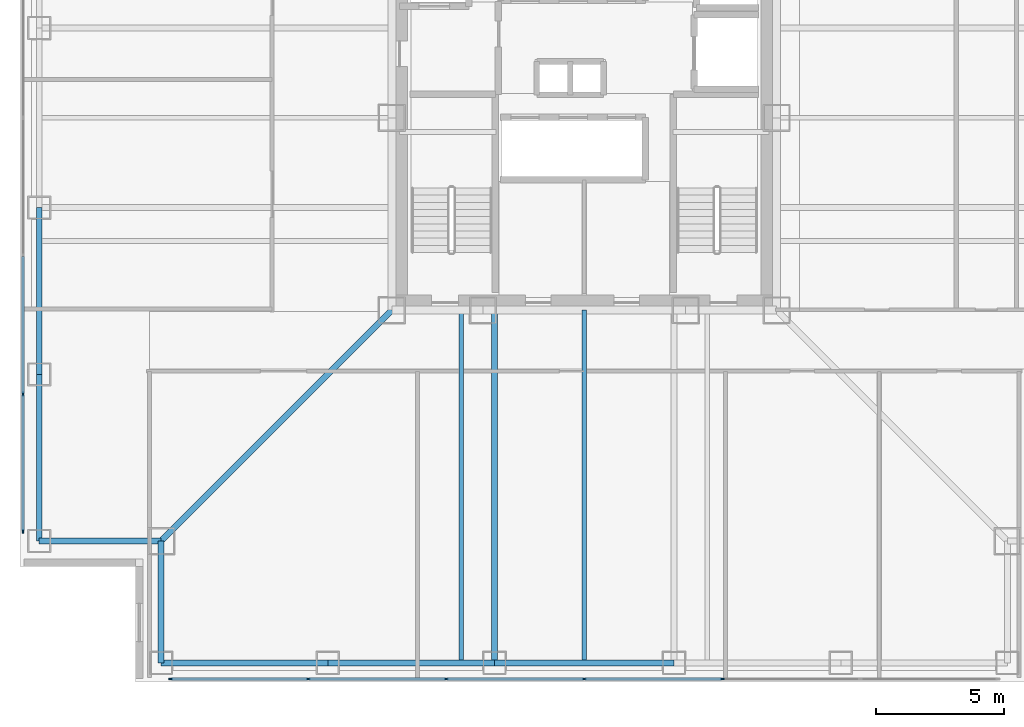
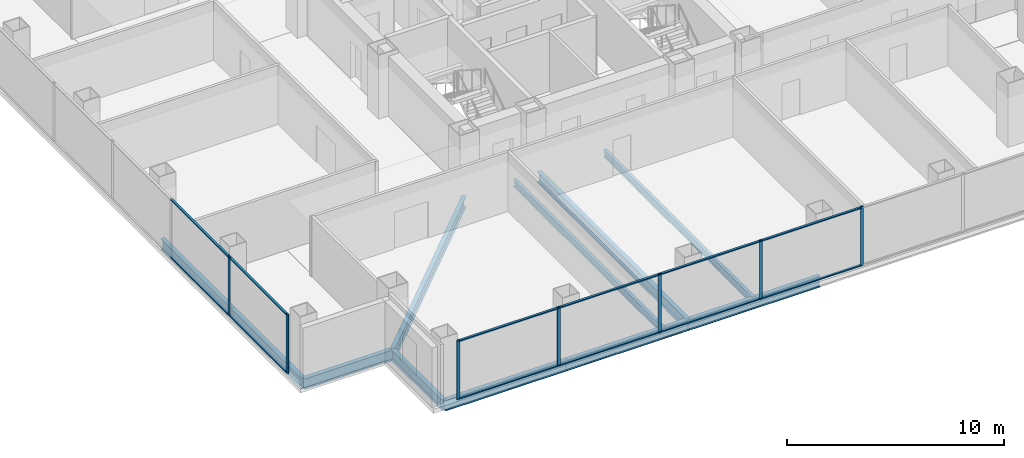
# One storey, part 2 of 14: 19 members, 11 beams, 2 elements without a shape of their own.
"""IFC4 building model written with IfcOpenShell, lengths in metres."""

from ifc_helpers import new_model, si_unit, direction, frame, origin, origin_2d, place, context, subcontext, project, spatial, rectangle, i_section, extrude, material, layer, layer_set, material_profile, profile_set, type_object, element, aggregate, save


model = new_model("IFC4")

# Units and contexts
model_context = context("Model", 3, precision=1e-05, world=origin(), true_north=direction((0.0, 1.0)))
body_context = subcontext(model_context, "Body", "Model", "MODEL_VIEW")
ifc_project = project(units=[si_unit("LENGTHUNIT", "METRE"), si_unit("AREAUNIT", "SQUARE_METRE"), si_unit("VOLUMEUNIT", "CUBIC_METRE"), si_unit("PLANEANGLEUNIT", "RADIAN"), si_unit("MASSUNIT", "GRAM", prefix="KILO")], contexts=[model_context])

# Site, building, storey
site_placement = place(None, origin())
site = spatial("IfcSite", under=ifc_project, at=site_placement, CompositionType="ELEMENT")
building_placement = place(site_placement, origin())
building = spatial("IfcBuilding", under=site, at=building_placement, Name="Trevonay Congress Spire", CompositionType="ELEMENT")
storey_placement = place(building_placement, frame((0.0, 0.0, 119.199951171875)))
storey = spatial("IfcBuildingStorey", under=building, at=storey_placement, Name="L30", CompositionType="ELEMENT", Elevation=119.199951171875)

# Beams
ifc_material_1 = material(Name="Steel ASTM A572 Grade 50", Category="steel")
ifc_material_profile_1 = material_profile(ifc_material_1, i_section(OverallWidth=0.22998046875, OverallDepth=0.616943359375, WebThickness=0.01318359375, FlangeThickness=0.022216796875, FilletRadius=0.01611328125, at=origin_2d()), Name="W610x140")
ifc_profile_set_1 = profile_set([ifc_material_profile_1], Name="Steel ASTM A572 Grade 50")
beam_type_1 = type_object("IfcBeamType", Name="BM-GIRD-W610X140", PredefinedType="BEAM", material=ifc_profile_set_1)
beam_1_placement = place(storey_placement, frame((-7.5, -7.5, -0.54833984375), z_axis=(-0.707106781187, -0.707106781187, 0.0), x_axis=(0.707106781187, -0.707106781187, 0.0)))
element("IfcBeam", 1, at=beam_1_placement, inside=storey, type_object=beam_type_1, Name="L30 structural beam BM-L30-CDSW", PredefinedType="BEAM", context=body_context, shape_type="SweptSolid", body=[
    extrude(i_section(OverallWidth=0.22998046875, OverallDepth=0.616943359375, WebThickness=0.01318359375, FlangeThickness=0.022216796875, FilletRadius=0.01611328125, at=origin_2d()), origin(), (0.0, 0.0, 1.0), 12.72802734375),
])
beam_2_placement = place(storey_placement, frame((-3.5, -7.5, -0.54833984375), z_axis=(0.0, -1.0, 0.0), x_axis=(1.0, 0.0, 0.0)))
element("IfcBeam", 2, at=beam_2_placement, inside=storey, type_object=beam_type_1, Name="L30 structural beam BM-L30-GS-M", PredefinedType="BEAM", context=body_context, shape_type="SweptSolid", body=[
    extrude(i_section(OverallWidth=0.22998046875, OverallDepth=0.616943359375, WebThickness=0.01318359375, FlangeThickness=0.022216796875, FilletRadius=0.01611328125, at=origin_2d()), origin(), (0.0, 0.0, 1.0), 13.75),
])
ifc_material_profile_2 = material_profile(ifc_material_1, i_section(OverallWidth=0.22802734375, OverallDepth=0.60791015625, WebThickness=0.01123046875, FlangeThickness=0.017333984375, FilletRadius=0.01611328125, at=origin_2d()), Name="W610x113")
ifc_profile_set_2 = profile_set([ifc_material_profile_2], Name="Steel ASTM A572 Grade 50")
beam_type_2 = type_object("IfcBeamType", Name="BM-RING-W610X113", PredefinedType="BEAM", material=ifc_profile_set_2)
for number, where, z_axis, x_axis, name in (
    (3, (-16.5, -21.25, -0.5439453125), (1.0, 0.0, 0.0), (0.0, 1.0, 0.0), "L30 structural beam BM-L30-PS1"),
    (4, (-21.25, -16.5, -0.5439453125), (0.0, 1.0, 0.0), (-1.0, 0.0, 0.0), "L30 structural beam BM-L30-PW1"),
    (5, (-10.0, -21.25, -0.5439453125), (1.0, 0.0, 0.0), (0.0, 1.0, 0.0), "L30 structural beam BM-L30-PS2"),
    (6, (-21.25, -10.0, -0.5439453125), (0.0, 1.0, 0.0), (-1.0, 0.0, 0.0), "L30 structural beam BM-L30-PW2"),
):
    element("IfcBeam", number, at=place(storey_placement, frame(where, z_axis=z_axis, x_axis=x_axis)), inside=storey, type_object=beam_type_2, Name=name, PredefinedType="BEAM", context=body_context, shape_type="SweptSolid", body=[
        extrude(i_section(OverallWidth=0.22802734375, OverallDepth=0.60791015625, WebThickness=0.01123046875, FlangeThickness=0.017333984375, FilletRadius=0.01611328125, at=origin_2d()), origin(), (0.0, 0.0, 1.0), 6.5),
    ])
beam_3_placement = place(storey_placement, frame((-3.5, -21.25, -0.5439453125), z_axis=(1.0, 0.0, 0.0), x_axis=(0.0, 1.0, 0.0)))
element("IfcBeam", 7, at=beam_3_placement, inside=storey, type_object=beam_type_2, Name="L30 structural beam BM-L30-PS3", PredefinedType="BEAM", context=body_context, shape_type="SweptSolid", body=[
    extrude(i_section(OverallWidth=0.22802734375, OverallDepth=0.60791015625, WebThickness=0.01123046875, FlangeThickness=0.017333984375, FilletRadius=0.01611328125, at=origin_2d()), origin(), (0.0, 0.0, 1.0), 7.0),
])
for number, where, z_axis, x_axis, name in (
    (8, (-16.5, -21.25, -0.5439453125), (0.0, 1.0, 0.0), (-1.0, 0.0, 0.0), "L30 structural beam BM-L30-N1SW"),
    (9, (-21.25, -16.5, -0.5439453125), (1.0, 0.0, 0.0), (0.0, 1.0, 0.0), "L30 structural beam BM-L30-N2SW"),
):
    element("IfcBeam", number, at=place(storey_placement, frame(where, z_axis=z_axis, x_axis=x_axis)), inside=storey, type_object=beam_type_2, Name=name, PredefinedType="BEAM", context=body_context, shape_type="SweptSolid", body=[
        extrude(i_section(OverallWidth=0.22802734375, OverallDepth=0.60791015625, WebThickness=0.01123046875, FlangeThickness=0.017333984375, FilletRadius=0.01611328125, at=origin_2d()), origin(), (0.0, 0.0, 1.0), 4.75),
    ])

# Curtain wall, members
ifc_material_2 = material(Name="Pale Anodised Aluminium EN AW-6063-T6", Category="aluminium")
ifc_layer = layer(ifc_material_2, 0.175048828125, Name="Pale Anodised Aluminium EN AW-6063-T6")
ifc_layer_set = layer_set([ifc_layer], Name="Pale Anodised Aluminium EN AW-6063-T6")
curtain_wall_type = type_object("IfcCurtainWallType", Name="CW-SYS03-CONGRESS-PALE-METAL", PredefinedType="NOTDEFINED", material=ifc_layer_set)
curtain_wall_1_placement = place(storey_placement, origin())
curtain_wall_1 = element("IfcCurtainWall", 10, at=curtain_wall_1_placement, inside=storey, type_object=curtain_wall_type, Name="L30 S unitised curtain wall", PredefinedType="NOTDEFINED")
ifc_material_profile_3 = material_profile(ifc_material_2, rectangle(XDim=0.06005859375, YDim=0.159912109375, at=origin_2d()), Name="CW-MULLION-160-ALUMINIUM")
ifc_profile_set_3 = profile_set([ifc_material_profile_3], Name="Pale Anodised Aluminium EN AW-6063-T6")
member_type_1 = type_object("IfcMemberType", Name="CW-MULLION-160-ALUMINIUM", PredefinedType="MULLION", material=ifc_profile_set_3)
member_1_placement = place(storey_placement, frame((-16.1201171875, -21.8798828125, 0.0), z_axis=(0.0, 0.0, 1.0), x_axis=(0.0, 1.0, 0.0)))
member_1 = element("IfcMember", 11, at=member_1_placement, type_object=member_type_1, Name="CW03 mullion 1", PredefinedType="MULLION", context=body_context, shape_type="SweptSolid", body=[
    extrude(rectangle(XDim=0.06005859375, YDim=0.159912109375, at=origin_2d()), origin(), (0.0, 0.0, 1.0), 3.360107421875),
])
member_2_placement = place(storey_placement, frame((-10.7666015625, -21.8798828125, 0.0), z_axis=(0.0, 0.0, 1.0), x_axis=(0.0, 1.0, 0.0)))
member_2 = element("IfcMember", 12, at=member_2_placement, type_object=member_type_1, Name="CW03 mullion 2", PredefinedType="MULLION", context=body_context, shape_type="SweptSolid", body=[
    extrude(rectangle(XDim=0.06005859375, YDim=0.159912109375, at=origin_2d()), origin(), (0.0, 0.0, 1.0), 3.360107421875),
])
member_3_placement = place(storey_placement, frame((-5.38330078125, -21.8798828125, 0.0), z_axis=(0.0, 0.0, 1.0), x_axis=(0.0, 1.0, 0.0)))
member_3 = element("IfcMember", 13, at=member_3_placement, type_object=member_type_1, Name="CW03 mullion 3", PredefinedType="MULLION", context=body_context, shape_type="SweptSolid", body=[
    extrude(rectangle(XDim=0.06005859375, YDim=0.159912109375, at=origin_2d()), origin(), (0.0, 0.0, 1.0), 3.360107421875),
])
member_4_placement = place(storey_placement, frame((0.0, -21.8798828125, 0.0), z_axis=(0.0, 0.0, 1.0), x_axis=(0.0, 1.0, 0.0)))
member_4 = element("IfcMember", 14, at=member_4_placement, type_object=member_type_1, Name="CW03 mullion 4", PredefinedType="MULLION", context=body_context, shape_type="SweptSolid", body=[
    extrude(rectangle(XDim=0.06005859375, YDim=0.159912109375, at=origin_2d()), origin(), (0.0, 0.0, 1.0), 3.360107421875),
])
member_5_placement = place(storey_placement, frame((5.38330078125, -21.8798828125, 0.0), z_axis=(0.0, 0.0, 1.0), x_axis=(0.0, 1.0, 0.0)))
member_5 = element("IfcMember", 15, at=member_5_placement, type_object=member_type_1, Name="CW03 mullion 5", PredefinedType="MULLION", context=body_context, shape_type="SweptSolid", body=[
    extrude(rectangle(XDim=0.06005859375, YDim=0.159912109375, at=origin_2d()), origin(), (0.0, 0.0, 1.0), 3.360107421875),
])

curtain_wall_2_placement = place(storey_placement, origin())
curtain_wall_2 = element("IfcCurtainWall", 16, at=curtain_wall_2_placement, inside=storey, type_object=curtain_wall_type, Name="L30 W unitised curtain wall", PredefinedType="NOTDEFINED")
member_6_placement = place(storey_placement, frame((-21.8798828125, -16.1201171875, 0.0), z_axis=(0.0, 0.0, 1.0), x_axis=(-1.0, 0.0, 0.0)))
member_6 = element("IfcMember", 17, at=member_6_placement, type_object=member_type_1, Name="CW03 mullion 1", PredefinedType="MULLION", context=body_context, shape_type="SweptSolid", body=[
    extrude(rectangle(XDim=0.06005859375, YDim=0.159912109375, at=origin_2d()), origin(), (0.0, 0.0, 1.0), 3.360107421875),
])
member_7_placement = place(storey_placement, frame((-21.8798828125, -10.7666015625, 0.0), z_axis=(0.0, 0.0, 1.0), x_axis=(-1.0, 0.0, 0.0)))
member_7 = element("IfcMember", 18, at=member_7_placement, type_object=member_type_1, Name="CW03 mullion 2", PredefinedType="MULLION", context=body_context, shape_type="SweptSolid", body=[
    extrude(rectangle(XDim=0.06005859375, YDim=0.159912109375, at=origin_2d()), origin(), (0.0, 0.0, 1.0), 3.360107421875),
])

# Member
ifc_material_profile_4 = material_profile(ifc_material_2, rectangle(XDim=0.1201171875, YDim=0.06005859375, at=origin_2d()), Name="CW-TRANSOM-120-ALUMINIUM")
ifc_profile_set_4 = profile_set([ifc_material_profile_4], Name="Pale Anodised Aluminium EN AW-6063-T6")
member_type_2 = type_object("IfcMemberType", Name="CW-TRANSOM-120-ALUMINIUM", PredefinedType="USERDEFINED", material=ifc_profile_set_4)
member_8_placement = place(storey_placement, frame((-16.090087890625, -21.8798828125, 0.06005859375), z_axis=(1.0, 0.0, 0.0), x_axis=(0.0, 1.0, 0.0)))
member_8 = element("IfcMember", 19, at=member_8_placement, type_object=member_type_2, Name="CW03 transom 1.1", ObjectType="TRANSOM", PredefinedType="USERDEFINED", context=body_context, shape_type="SweptSolid", body=[
    extrude(rectangle(XDim=0.1201171875, YDim=0.06005859375, at=origin_2d()), origin(), (0.0, 0.0, 1.0), 5.29345703125),
])

member_9_placement = place(storey_placement, frame((-16.090087890625, -21.8798828125, 3.300048828125), z_axis=(1.0, 0.0, 0.0), x_axis=(0.0, 1.0, 0.0)))
member_9 = element("IfcMember", 20, at=member_9_placement, type_object=member_type_2, Name="CW03 transom 1.2", ObjectType="TRANSOM", PredefinedType="USERDEFINED", context=body_context, shape_type="SweptSolid", body=[
    extrude(rectangle(XDim=0.1201171875, YDim=0.06005859375, at=origin_2d()), origin(), (0.0, 0.0, 1.0), 5.29345703125),
])

member_10_placement = place(storey_placement, frame((-10.736572265625, -21.8798828125, 0.06005859375), z_axis=(1.0, 0.0, 0.0), x_axis=(0.0, 1.0, 0.0)))
member_10 = element("IfcMember", 21, at=member_10_placement, type_object=member_type_2, Name="CW03 transom 2.1", ObjectType="TRANSOM", PredefinedType="USERDEFINED", context=body_context, shape_type="SweptSolid", body=[
    extrude(rectangle(XDim=0.1201171875, YDim=0.06005859375, at=origin_2d()), origin(), (0.0, 0.0, 1.0), 5.3232421875),
])

member_11_placement = place(storey_placement, frame((-10.736572265625, -21.8798828125, 3.300048828125), z_axis=(1.0, 0.0, 0.0), x_axis=(0.0, 1.0, 0.0)))
member_11 = element("IfcMember", 22, at=member_11_placement, type_object=member_type_2, Name="CW03 transom 2.2", ObjectType="TRANSOM", PredefinedType="USERDEFINED", context=body_context, shape_type="SweptSolid", body=[
    extrude(rectangle(XDim=0.1201171875, YDim=0.06005859375, at=origin_2d()), origin(), (0.0, 0.0, 1.0), 5.3232421875),
])

member_12_placement = place(storey_placement, frame((-5.353271484375, -21.8798828125, 0.06005859375), z_axis=(1.0, 0.0, 0.0), x_axis=(0.0, 1.0, 0.0)))
member_12 = element("IfcMember", 23, at=member_12_placement, type_object=member_type_2, Name="CW03 transom 3.1", ObjectType="TRANSOM", PredefinedType="USERDEFINED", context=body_context, shape_type="SweptSolid", body=[
    extrude(rectangle(XDim=0.1201171875, YDim=0.06005859375, at=origin_2d()), origin(), (0.0, 0.0, 1.0), 5.3232421875),
])

member_13_placement = place(storey_placement, frame((-5.353271484375, -21.8798828125, 3.300048828125), z_axis=(1.0, 0.0, 0.0), x_axis=(0.0, 1.0, 0.0)))
member_13 = element("IfcMember", 24, at=member_13_placement, type_object=member_type_2, Name="CW03 transom 3.2", ObjectType="TRANSOM", PredefinedType="USERDEFINED", context=body_context, shape_type="SweptSolid", body=[
    extrude(rectangle(XDim=0.1201171875, YDim=0.06005859375, at=origin_2d()), origin(), (0.0, 0.0, 1.0), 5.3232421875),
])

member_14_placement = place(storey_placement, frame((0.030029296875, -21.8798828125, 0.06005859375), z_axis=(1.0, 0.0, 0.0), x_axis=(0.0, 1.0, 0.0)))
member_14 = element("IfcMember", 25, at=member_14_placement, type_object=member_type_2, Name="CW03 transom 4.1", ObjectType="TRANSOM", PredefinedType="USERDEFINED", context=body_context, shape_type="SweptSolid", body=[
    extrude(rectangle(XDim=0.1201171875, YDim=0.06005859375, at=origin_2d()), origin(), (0.0, 0.0, 1.0), 5.3232421875),
])

member_15_placement = place(storey_placement, frame((0.030029296875, -21.8798828125, 3.300048828125), z_axis=(1.0, 0.0, 0.0), x_axis=(0.0, 1.0, 0.0)))
member_15 = element("IfcMember", 26, at=member_15_placement, type_object=member_type_2, Name="CW03 transom 4.2", ObjectType="TRANSOM", PredefinedType="USERDEFINED", context=body_context, shape_type="SweptSolid", body=[
    extrude(rectangle(XDim=0.1201171875, YDim=0.06005859375, at=origin_2d()), origin(), (0.0, 0.0, 1.0), 5.3232421875),
])

aggregate(curtain_wall_1, [member_1, member_2, member_3, member_4, member_5, member_8, member_9, member_10, member_11, member_12, member_13, member_14, member_15])

member_16_placement = place(storey_placement, frame((-21.8798828125, -16.090087890625, 0.06005859375), z_axis=(0.0, 1.0, 0.0), x_axis=(-1.0, 0.0, 0.0)))
member_16 = element("IfcMember", 27, at=member_16_placement, type_object=member_type_2, Name="CW03 transom 1.1", ObjectType="TRANSOM", PredefinedType="USERDEFINED", context=body_context, shape_type="SweptSolid", body=[
    extrude(rectangle(XDim=0.1201171875, YDim=0.06005859375, at=origin_2d()), origin(), (0.0, 0.0, 1.0), 5.29345703125),
])

member_17_placement = place(storey_placement, frame((-21.8798828125, -16.090087890625, 3.300048828125), z_axis=(0.0, 1.0, 0.0), x_axis=(-1.0, 0.0, 0.0)))
member_17 = element("IfcMember", 28, at=member_17_placement, type_object=member_type_2, Name="CW03 transom 1.2", ObjectType="TRANSOM", PredefinedType="USERDEFINED", context=body_context, shape_type="SweptSolid", body=[
    extrude(rectangle(XDim=0.1201171875, YDim=0.06005859375, at=origin_2d()), origin(), (0.0, 0.0, 1.0), 5.29345703125),
])

member_18_placement = place(storey_placement, frame((-21.8798828125, -10.736572265625, 0.06005859375), z_axis=(0.0, 1.0, 0.0), x_axis=(-1.0, 0.0, 0.0)))
member_18 = element("IfcMember", 29, at=member_18_placement, type_object=member_type_2, Name="CW03 transom 2.1", ObjectType="TRANSOM", PredefinedType="USERDEFINED", context=body_context, shape_type="SweptSolid", body=[
    extrude(rectangle(XDim=0.1201171875, YDim=0.06005859375, at=origin_2d()), origin(), (0.0, 0.0, 1.0), 5.3232421875),
])

member_19_placement = place(storey_placement, frame((-21.8798828125, -10.736572265625, 3.300048828125), z_axis=(0.0, 1.0, 0.0), x_axis=(-1.0, 0.0, 0.0)))
member_19 = element("IfcMember", 30, at=member_19_placement, type_object=member_type_2, Name="CW03 transom 2.2", ObjectType="TRANSOM", PredefinedType="USERDEFINED", context=body_context, shape_type="SweptSolid", body=[
    extrude(rectangle(XDim=0.1201171875, YDim=0.06005859375, at=origin_2d()), origin(), (0.0, 0.0, 1.0), 5.3232421875),
])

aggregate(curtain_wall_2, [member_6, member_7, member_16, member_17, member_18, member_19])

# Beams
ifc_material_profile_5 = material_profile(ifc_material_1, i_section(OverallWidth=0.177978515625, OverallDepth=0.406982421875, WebThickness=0.0078125, FlangeThickness=0.0126953125, FilletRadius=0.012939453125, at=origin_2d()), Name="W410x60")
ifc_profile_set_5 = profile_set([ifc_material_profile_5], Name="Steel ASTM A572 Grade 50")
beam_type_3 = type_object("IfcBeamType", Name="JS-COMP-W410X60", PredefinedType="JOIST", material=ifc_profile_set_5)
for number, where, z_axis, x_axis, name in (
    (31, (-4.800048828125, -21.25, -0.443359375), (0.0, 1.0, 0.0), (-1.0, 0.0, 0.0), "L30 structural beam JS-L30-NS-S1"),
    (32, (0.0, -21.25, -0.443359375), (0.0, 1.0, 0.0), (-1.0, 0.0, 0.0), "L30 structural beam JS-L30-NS-S2"),
):
    element("IfcBeam", number, at=place(storey_placement, frame(where, z_axis=z_axis, x_axis=x_axis)), inside=storey, type_object=beam_type_3, Name=name, PredefinedType="JOIST", context=body_context, shape_type="SweptSolid", body=[
        extrude(i_section(OverallWidth=0.177978515625, OverallDepth=0.406982421875, WebThickness=0.0078125, FlangeThickness=0.0126953125, FilletRadius=0.012939453125, at=origin_2d()), origin(), (0.0, 0.0, 1.0), 13.75),
    ])

save(model, "model.ifc")
